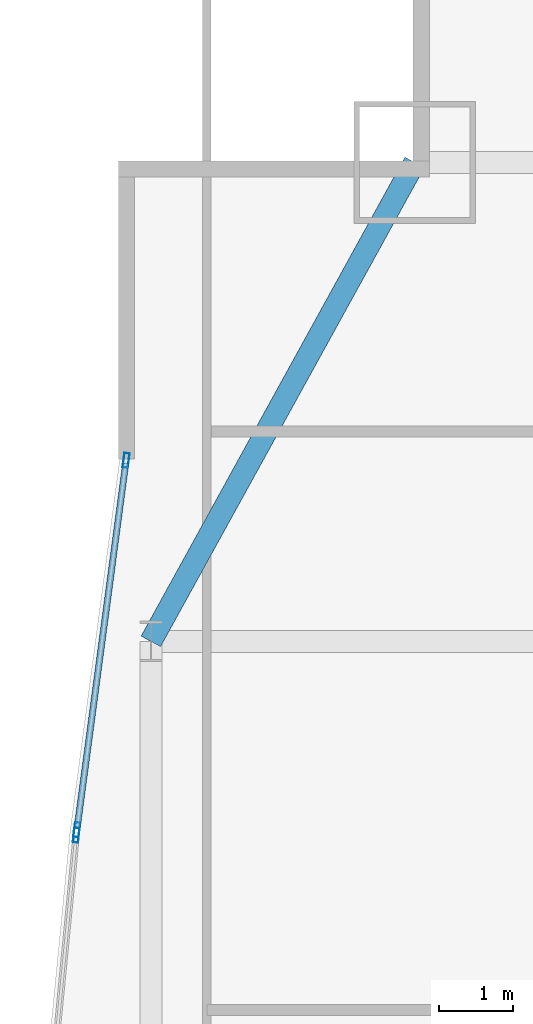
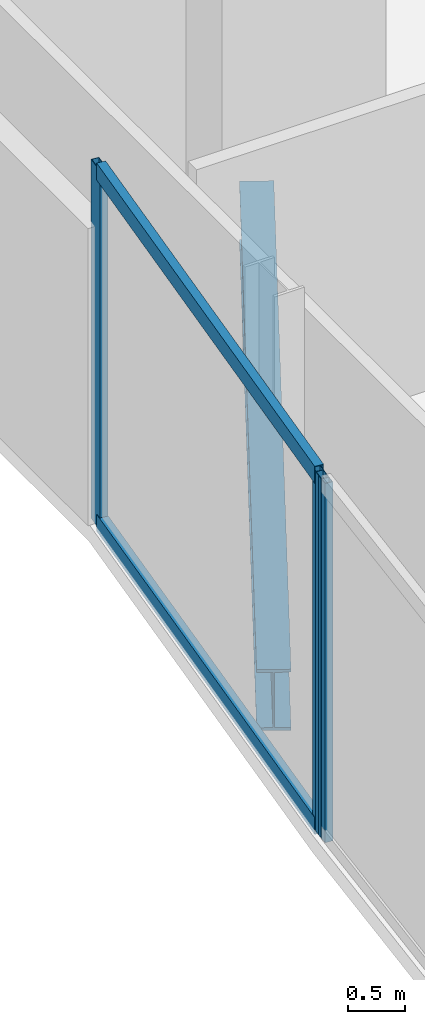
# One storey, part 16 of 35: 5 members, 1 beam, 2 elements without a shape of their own.
"""IFC4 building model written with IfcOpenShell, lengths in metres."""

from ifc_helpers import new_model, si_unit, direction, frame, origin, origin_2d, place, context, subcontext, project, spatial, hollow_rectangle, i_section, extrude, material, material_profile, profile_set, type_object, element, aggregate, save


model = new_model("IFC4")

# Units and contexts
model_context = context("Model", 3, precision=1e-05, world=origin(), true_north=direction((0.0, 1.0)))
body_context = subcontext(model_context, "Body", "Model", "MODEL_VIEW")
ifc_project = project(units=[si_unit("LENGTHUNIT", "METRE"), si_unit("AREAUNIT", "SQUARE_METRE"), si_unit("VOLUMEUNIT", "CUBIC_METRE"), si_unit("PLANEANGLEUNIT", "RADIAN"), si_unit("MASSUNIT", "GRAM", prefix="KILO")], contexts=[model_context])

# Site, building, storey
site_placement = place(None, origin())
site = spatial("IfcSite", under=ifc_project, at=site_placement, CompositionType="ELEMENT")
building_placement = place(site_placement, origin())
building = spatial("IfcBuilding", under=site, at=building_placement, Name="Khoronbel Lancet Exchange", CompositionType="ELEMENT")
storey_placement = place(building_placement, frame((0.0, 0.0, 69.800048828125)))
storey = spatial("IfcBuildingStorey", under=building, at=storey_placement, Name="L16", CompositionType="ELEMENT", Elevation=69.800048828125)

# Beam
ifc_material_1 = material(Name="Steel S355", Category="steel")
ifc_material_profile_1 = material_profile(ifc_material_1, i_section(OverallWidth=0.300048828125, OverallDepth=0.64990234375, WebThickness=0.01611328125, FlangeThickness=0.031005859375, at=origin_2d()), Name="HEB 650")
ifc_profile_set_1 = profile_set([ifc_material_profile_1], Name="Steel S355")
beam_type = type_object("IfcBeamType", Name="BM-BSP1", PredefinedType="SPANDREL", material=ifc_profile_set_1)
beam_placement = place(storey_placement, frame((4.85009765625, 49.699951171875, -0.505126953125), z_axis=(-0.482444051088, -0.875926787791, 0.0), x_axis=(0.875926787791, -0.482444051088, 0.0)))
element("IfcBeam", 1, at=beam_placement, inside=storey, type_object=beam_type, Name="Level L16 perimeter spandrel beam SP16", PredefinedType="SPANDREL", context=body_context, shape_type="SweptSolid", body=[
    extrude(i_section(OverallWidth=0.300048828125, OverallDepth=0.64990234375, WebThickness=0.01611328125, FlangeThickness=0.031005859375, at=origin_2d()), origin(), (0.0, 0.0, 1.0), 7.420654296875),
])

# Curtain wall, member
ifc_material_2 = material(Name="Low-E Solar Control Insulating Glass", Category="glass")
curtain_wall_type = type_object("IfcCurtainWallType", Name="CW-4", PredefinedType="NOTDEFINED", material=ifc_material_2)
curtain_wall_1_placement = place(storey_placement, origin())
curtain_wall_1 = element("IfcCurtainWall", 2, at=curtain_wall_1_placement, inside=storey, type_object=curtain_wall_type, Name="Unitised curtain wall CW-L16-E08", PredefinedType="NOTDEFINED")
ifc_material_3 = material(Name="Bronze-Anodised Aluminium 6063-T6", Category="aluminium")
ifc_material_profile_2 = material_profile(ifc_material_3, hollow_rectangle(XDim=0.074951171875, YDim=0.199951171875, WallThickness=0.0048828125, at=origin_2d()), Name="ALU MULLION 75x200")
ifc_profile_set_2 = profile_set([ifc_material_profile_2], Name="Bronze-Anodised Aluminium 6063-T6")
member_type_1 = type_object("IfcMemberType", Name="MEM-CWM2", PredefinedType="MULLION", material=ifc_profile_set_2)
member_1_placement = place(storey_placement, frame((0.258056640625, 40.569091796875, 0.0), z_axis=(0.0, 0.0, 1.0), x_axis=(-0.995271261573, 0.097134524689, 0.0)))
member_1 = element("IfcMember", 3, at=member_1_placement, type_object=member_type_1, Name="CW4 mullion 2", PredefinedType="MULLION", context=body_context, shape_type="SweptSolid", body=[
    extrude(hollow_rectangle(XDim=0.074951171875, YDim=0.199951171875, WallThickness=0.0048828125, at=origin_2d()), origin(), (0.0, 0.0, 1.0), 3.820068359375),
])
aggregate(curtain_wall_1, [member_1])

# Curtain wall, members
curtain_wall_2_placement = place(storey_placement, origin())
curtain_wall_2 = element("IfcCurtainWall", 4, at=curtain_wall_2_placement, inside=storey, type_object=curtain_wall_type, Name="Unitised curtain wall CW-L16-E09", PredefinedType="NOTDEFINED")
member_2_placement = place(storey_placement, frame((0.2666015625, 40.6435546875, 0.0), z_axis=(0.0, 0.0, 1.0), x_axis=(-0.991229091757, 0.132154786724, 0.0)))
member_2 = element("IfcMember", 5, at=member_2_placement, type_object=member_type_1, Name="CW4 mullion 1", PredefinedType="MULLION", context=body_context, shape_type="SweptSolid", body=[
    extrude(hollow_rectangle(XDim=0.074951171875, YDim=0.199951171875, WallThickness=0.0048828125, at=origin_2d()), origin(), (0.0, 0.0, 1.0), 3.820068359375),
])
member_3_placement = place(storey_placement, frame((0.93505859375, 45.65673828125, 0.0), z_axis=(0.0, 0.0, 1.0), x_axis=(-0.991229091757, 0.132154786724, 0.0)))
member_3 = element("IfcMember", 6, at=member_3_placement, type_object=member_type_1, Name="CW4 mullion 2", PredefinedType="MULLION", context=body_context, shape_type="SweptSolid", body=[
    extrude(hollow_rectangle(XDim=0.074951171875, YDim=0.199951171875, WallThickness=0.0048828125, at=origin_2d()), origin(), (0.0, 0.0, 1.0), 3.820068359375),
])
ifc_material_profile_3 = material_profile(ifc_material_3, hollow_rectangle(XDim=0.0849609375, YDim=0.179931640625, WallThickness=0.0048828125, at=origin_2d()), Name="ALU TRANSOM 85x180")
ifc_profile_set_3 = profile_set([ifc_material_profile_3], Name="Bronze-Anodised Aluminium 6063-T6")
member_type_2 = type_object("IfcMemberType", Name="MEM-CWT1", PredefinedType="USERDEFINED", material=ifc_profile_set_3)
member_4_placement = place(storey_placement, frame((0.271728515625, 40.6806640625, 0.04248046875), z_axis=(0.132147672686, 0.991230040204, 0.0), x_axis=(-0.991230040204, 0.132147672686, 0.0)))
member_4 = element("IfcMember", 7, at=member_4_placement, type_object=member_type_2, Name="CW4 transom 1.1", ObjectType="TRANSOM", PredefinedType="USERDEFINED", context=body_context, shape_type="SweptSolid", body=[
    extrude(hollow_rectangle(XDim=0.0849609375, YDim=0.179931640625, WallThickness=0.0048828125, at=origin_2d()), origin(), (0.0, 0.0, 1.0), 4.982666015625),
])
member_5_placement = place(storey_placement, frame((0.271728515625, 40.6806640625, 3.77734375), z_axis=(0.132147672686, 0.991230040204, 0.0), x_axis=(-0.991230040204, 0.132147672686, 0.0)))
member_5 = element("IfcMember", 8, at=member_5_placement, type_object=member_type_2, Name="CW4 transom 1.2", ObjectType="TRANSOM", PredefinedType="USERDEFINED", context=body_context, shape_type="SweptSolid", body=[
    extrude(hollow_rectangle(XDim=0.0849609375, YDim=0.179931640625, WallThickness=0.0048828125, at=origin_2d()), origin(), (0.0, 0.0, 1.0), 4.982666015625),
])
aggregate(curtain_wall_2, [member_2, member_3, member_4, member_5])

save(model, "model.ifc")
